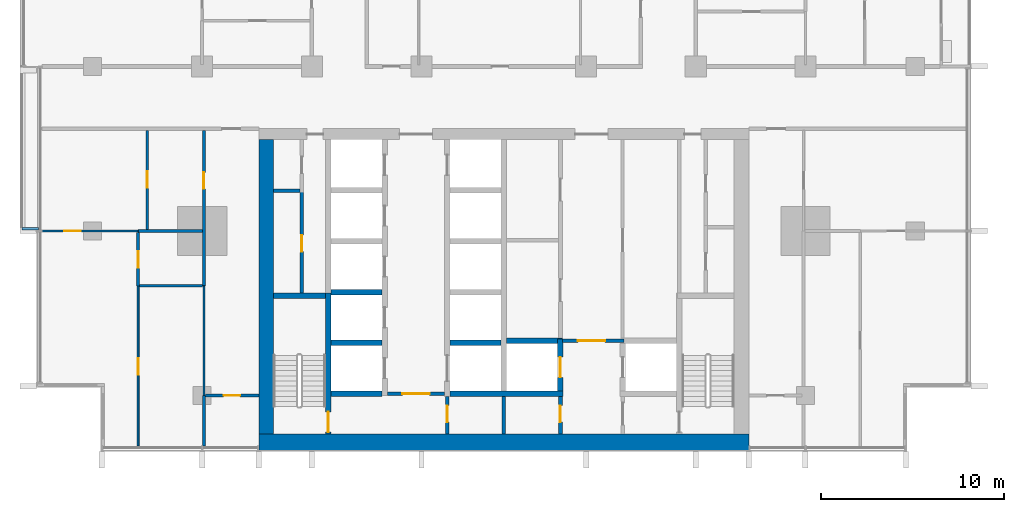
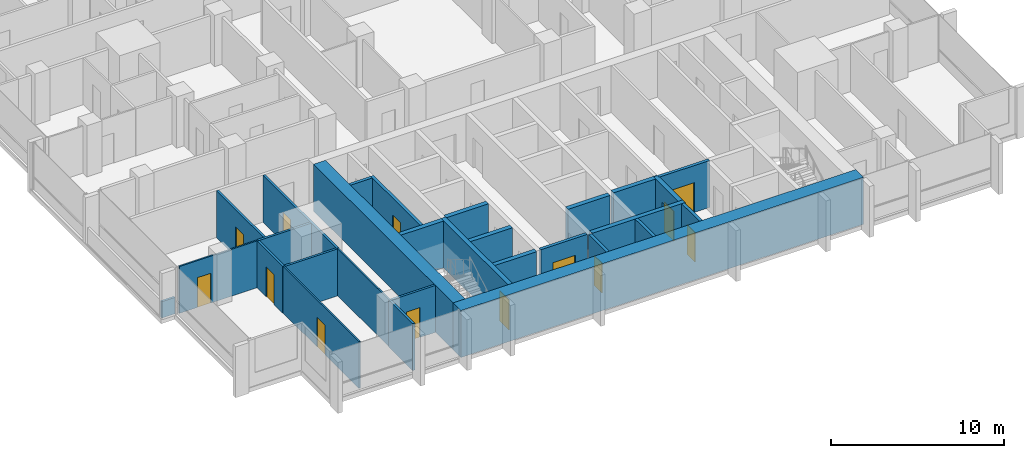
# One storey, part 7 of 18: 29 walls, 13 doors, 13 openings.
"""IFC4 building model written with IfcOpenShell, lengths in metres."""

from ifc_helpers import new_model, si_unit, direction, frame, frame_2d, origin, place, context, subcontext, project, spatial, rectangle, extrude, material, layer, layer_set, type_object, element, fill, save


model = new_model("IFC4")

# Units and contexts
model_context = context("Model", 3, precision=1e-05, world=origin(), true_north=direction((0.0, 1.0)))
body_context = subcontext(model_context, "Body", "Model", "MODEL_VIEW")
ifc_project = project(units=[si_unit("LENGTHUNIT", "METRE"), si_unit("AREAUNIT", "SQUARE_METRE"), si_unit("VOLUMEUNIT", "CUBIC_METRE"), si_unit("PLANEANGLEUNIT", "RADIAN"), si_unit("MASSUNIT", "GRAM", prefix="KILO")], contexts=[model_context])

# Site, building, storey
site_placement = place(None, origin())
site = spatial("IfcSite", under=ifc_project, at=site_placement, CompositionType="ELEMENT")
building_placement = place(site_placement, origin())
building = spatial("IfcBuilding", under=site, at=building_placement, Name="Finial Court Residences", CompositionType="ELEMENT")
storey_placement = place(building_placement, frame((0.0, 0.0, 106.300048828125)))
storey = spatial("IfcBuildingStorey", under=building, at=storey_placement, Name="L26", CompositionType="ELEMENT", Elevation=106.300048828125)

# Walls
ifc_material_1 = material(Name="Concrete C70/85", Category="concrete")
ifc_layer_1 = layer(ifc_material_1, 0.800048828125)
ifc_layer_set_1 = layer_set([ifc_layer_1], Name="Core outer wall 800 Concrete C70/85")
wall_type_1 = type_object("IfcWallType", Name="Core outer wall 800 Concrete C70/85", PredefinedType="SHEAR", material=ifc_layer_set_1)
wall_1_placement = place(storey_placement, frame((-13.0, -24.60009765625, 0.0), z_axis=(0.0, 0.0, 1.0), x_axis=(0.0, 1.0, 0.0)))
element("IfcWall", 1, at=wall_1_placement, inside=storey, type_object=wall_type_1, Name="Core outer wall L26-03", PredefinedType="SHEAR", context=body_context, shape_type="SweptSolid", body=[
    extrude(rectangle(XDim=16.10009765625, YDim=0.800048828125, at=frame_2d((8.050048828125, 0.0))), origin(), (0.0, 0.0, 1.0), 3.300048828125),
])
ifc_layer_2 = layer(ifc_material_1, 0.89990234375)
ifc_layer_set_2 = layer_set([ifc_layer_2], Name="Core south facade wall 900 Concrete C70/85")
wall_type_2 = type_object("IfcWallType", Name="Core south facade wall 900 Concrete C70/85", PredefinedType="SHEAR", material=ifc_layer_set_2)
wall_2_placement = place(storey_placement, frame((-13.39990234375, -25.050048828125, 0.0), z_axis=(0.0, 0.0, 1.0), x_axis=(1.0, 0.0, 0.0)))
element("IfcWall", 2, at=wall_2_placement, inside=storey, type_object=wall_type_2, Name="Core outer wall L26-01", PredefinedType="SHEAR", context=body_context, shape_type="SweptSolid", body=[
    extrude(rectangle(XDim=26.7998046875, YDim=0.89990234375, at=frame_2d((13.39990234375, 0.0))), origin(), (0.0, 0.0, 1.0), 3.300048828125),
])

# Wall, opening, door
ifc_material_2 = material(Name="Fire-rated gypsum board partition")
ifc_layer_3 = layer(ifc_material_2, 0.199951171875)
ifc_layer_set_3 = layer_set([ifc_layer_3], Name="Firefighting lobby wall 200 EI 120")
wall_type_3 = type_object("IfcWallType", Name="Firefighting lobby wall 200 EI 120", PredefinedType="PARTITIONING", material=ifc_layer_set_3)
wall_3_placement = place(storey_placement, frame((6.574951171875, -19.5, 0.0), z_axis=(0.0, 0.0, 1.0), x_axis=(-1.0, 0.0, 0.0)))
wall_3 = element("IfcWall", 3, at=wall_3_placement, inside=storey, type_object=wall_type_3, Name="Core partition L26-08", PredefinedType="PARTITIONING", context=body_context, shape_type="SweptSolid", body=[
    extrude(rectangle(XDim=3.375, YDim=0.199951171875, at=frame_2d((1.6875, 0.0))), origin(), (0.0, 0.0, 1.0), 3.300048828125),
])
opening_1_placement = place(wall_3_placement, frame((1.02490234375, 0.0, 0.0)))
opening_1 = element("IfcOpeningElement", 4, at=opening_1_placement, cuts=wall_3, Name="Opening L26-C02", PredefinedType="OPENING", context=body_context, shape_type="SweptSolid", body=[
    extrude(rectangle(XDim=1.5, YDim=2.10009765625, at=frame_2d((0.75, 1.050048828125))), frame((0.0, 0.10986328125, 0.0), z_axis=(0.0, -1.0, 0.0), x_axis=(1.0, 0.0, 0.0)), (0.0, 0.0, 1.0), 0.219970703125),
])
ifc_material_3 = material(Name="Steel fire door", Category="steel")
door_type_1 = type_object("IfcDoorType", Name="Firefighting lobby door 1500 x 2100 EI 90", OperationType="DOUBLE_DOOR_SINGLE_SWING", PredefinedType="DOOR", material=ifc_material_3)
door_1_placement = place(opening_1_placement, origin())
door_1 = element("IfcDoor", 5, at=door_1_placement, inside=storey, type_object=door_type_1, Name="Firefighting lobby door L26-C02", OperationType="DOUBLE_DOOR_SINGLE_SWING", OverallHeight=2.10009765625, OverallWidth=1.5, PredefinedType="DOOR", context=body_context, shape_type="SweptSolid", body=[
    extrude(rectangle(XDim=1.5, YDim=2.10009765625, at=frame_2d((0.75, 1.050048828125))), frame((0.0, 0.02490234375, 0.0), z_axis=(0.0, -1.0, 0.0), x_axis=(1.0, 0.0, 0.0)), (0.0, 0.0, 1.0), 0.050048828125),
])
fill(opening_1, door_1)

wall_4_placement = place(storey_placement, frame((3.10009765625, -24.60009765625, 0.0), z_axis=(0.0, 0.0, 1.0), x_axis=(0.0, 1.0, 0.0)))
wall_4 = element("IfcWall", 6, at=wall_4_placement, inside=storey, type_object=wall_type_3, Name="Core partition L26-30", PredefinedType="PARTITIONING", context=body_context, shape_type="SweptSolid", body=[
    extrude(rectangle(XDim=2.050048828125, YDim=0.199951171875, at=frame_2d((1.02490234375, 0.0))), origin(), (0.0, 0.0, 1.0), 3.300048828125),
])
opening_2_placement = place(wall_4_placement, frame((0.64990234375, 0.0, 0.0)))
opening_2 = element("IfcOpeningElement", 7, at=opening_2_placement, cuts=wall_4, Name="Opening L26-C06", PredefinedType="OPENING", context=body_context, shape_type="SweptSolid", body=[
    extrude(rectangle(XDim=0.89990234375, YDim=2.10009765625, at=frame_2d((0.449951171875, 1.050048828125))), frame((0.0, 0.10986328125, 0.0), z_axis=(0.0, -1.0, 0.0), x_axis=(1.0, 0.0, 0.0)), (0.0, 0.0, 1.0), 0.219970703125),
])
door_type_2 = type_object("IfcDoorType", Name="Riser room door 900 x 2100 EI 90", OperationType="NOTDEFINED", PredefinedType="DOOR", material=ifc_material_3)
door_2_placement = place(opening_2_placement, origin())
door_2 = element("IfcDoor", 8, at=door_2_placement, inside=storey, type_object=door_type_2, Name="Riser room door L26-C06", OperationType="SINGLE_SWING_LEFT", OverallHeight=2.10009765625, OverallWidth=0.89990234375, PredefinedType="DOOR", context=body_context, shape_type="SweptSolid", body=[
    extrude(rectangle(XDim=0.89990234375, YDim=2.10009765625, at=frame_2d((0.449951171875, 1.050048828125))), frame((0.0, 0.02490234375, 0.0), z_axis=(0.0, -1.0, 0.0), x_axis=(1.0, 0.0, 0.0)), (0.0, 0.0, 1.0), 0.050048828125),
])
fill(opening_2, door_2)

ifc_material_4 = material(Name="Gypsum board")
ifc_layer_4 = layer(ifc_material_4, 0.012451171875)
ifc_material_5 = material(Name="Mineral wool in light-gauge frame")
ifc_layer_5 = layer(ifc_material_5, 0.074951171875)
ifc_layer_6 = layer(ifc_material_4, 0.012451171875)
ifc_layer_set_4 = layer_set([ifc_layer_4, ifc_layer_5, ifc_layer_6], Name="Gypsum board partition 100")
wall_type_4 = type_object("IfcWallType", Name="Gypsum board partition 100", PredefinedType="PARTITIONING", material=ifc_layer_set_4)
wall_5_placement = place(storey_placement, frame((-25.25, -13.5, 0.0), z_axis=(0.0, 0.0, 1.0), x_axis=(1.0, 0.0, 0.0)))
wall_5 = element("IfcWall", 9, at=wall_5_placement, inside=storey, type_object=wall_type_4, Name="Partition L26-003", PredefinedType="PARTITIONING", context=body_context, shape_type="SweptSolid", body=[
    extrude(rectangle(XDim=5.25, YDim=0.10009765625, at=frame_2d((2.625, 0.0))), origin(), (0.0, 0.0, 1.0), 3.300048828125),
])
opening_3_placement = place(wall_5_placement, frame((1.199951171875, 0.0, 0.0)))
opening_3 = element("IfcOpeningElement", 10, at=opening_3_placement, cuts=wall_5, Name="Opening L26-D003", PredefinedType="OPENING", context=body_context, shape_type="SweptSolid", body=[
    extrude(rectangle(XDim=0.89990234375, YDim=2.10009765625, at=frame_2d((0.449951171875, 1.050048828125))), frame((0.0, 0.06005859375, 0.0), z_axis=(0.0, -1.0, 0.0), x_axis=(1.0, 0.0, 0.0)), (0.0, 0.0, 1.0), 0.1201171875),
])
ifc_material_6 = material(Name="Timber door leaf in timber frame", Category="wood")
door_type_3 = type_object("IfcDoorType", Name="Door set 900 x 2100", OperationType="SINGLE_SWING_LEFT", PredefinedType="DOOR", material=ifc_material_6)
door_3_placement = place(opening_3_placement, origin())
door_3 = element("IfcDoor", 11, at=door_3_placement, inside=storey, type_object=door_type_3, Name="Door L26-D003", OperationType="SINGLE_SWING_LEFT", OverallHeight=2.10009765625, OverallWidth=0.89990234375, PredefinedType="DOOR", context=body_context, shape_type="SweptSolid", body=[
    extrude(rectangle(XDim=0.89990234375, YDim=2.10009765625, at=frame_2d((0.449951171875, 1.050048828125))), frame((0.0, 0.02490234375, 0.0), z_axis=(0.0, -1.0, 0.0), x_axis=(1.0, 0.0, 0.0)), (0.0, 0.0, 1.0), 0.050048828125),
])
fill(opening_3, door_3)

wall_6_placement = place(storey_placement, frame((-20.0, -25.25, 0.0), z_axis=(0.0, 0.0, 1.0), x_axis=(0.0, 1.0, 0.0)))
wall_6 = element("IfcWall", 12, at=wall_6_placement, inside=storey, type_object=wall_type_4, Name="Partition L26-045", PredefinedType="PARTITIONING", context=body_context, shape_type="SweptSolid", body=[
    extrude(rectangle(XDim=8.75, YDim=0.10009765625, at=frame_2d((4.375, 0.0))), origin(), (0.0, 0.0, 1.0), 3.300048828125),
])
opening_4_placement = place(wall_6_placement, frame((3.89990234375, 0.0, 0.0)))
opening_4 = element("IfcOpeningElement", 13, at=opening_4_placement, cuts=wall_6, Name="Opening L26-D033", PredefinedType="OPENING", context=body_context, shape_type="SweptSolid", body=[
    extrude(rectangle(XDim=0.89990234375, YDim=2.10009765625, at=frame_2d((0.449951171875, 1.050048828125))), frame((0.0, 0.06005859375, 0.0), z_axis=(0.0, -1.0, 0.0), x_axis=(1.0, 0.0, 0.0)), (0.0, 0.0, 1.0), 0.1201171875),
])
door_4_placement = place(opening_4_placement, origin())
door_4 = element("IfcDoor", 14, at=door_4_placement, inside=storey, type_object=door_type_3, Name="Door L26-D033", OperationType="SINGLE_SWING_LEFT", OverallHeight=2.10009765625, OverallWidth=0.89990234375, PredefinedType="DOOR", context=body_context, shape_type="SweptSolid", body=[
    extrude(rectangle(XDim=0.89990234375, YDim=2.10009765625, at=frame_2d((0.449951171875, 1.050048828125))), frame((0.0, 0.02490234375, 0.0), z_axis=(0.0, -1.0, 0.0), x_axis=(1.0, 0.0, 0.0)), (0.0, 0.0, 1.0), 0.050048828125),
])
fill(opening_4, door_4)

# Wall
wall_7_placement = place(storey_placement, frame((-16.39990234375, -22.5, 0.0), z_axis=(0.0, 0.0, 1.0), x_axis=(0.0, 1.0, 0.0)))
element("IfcWall", 15, at=wall_7_placement, inside=storey, type_object=wall_type_4, Name="Partition L26-056", PredefinedType="PARTITIONING", context=body_context, shape_type="SweptSolid", body=[
    extrude(rectangle(XDim=6.0, YDim=0.10009765625, at=frame_2d((3.0, 0.0))), origin(), (0.0, 0.0, 1.0), 3.300048828125),
])

# Wall, opening, door
ifc_material_7 = material(Name="Moisture-resistant gypsum board")
ifc_layer_7 = layer(ifc_material_7, 0.012451171875)
ifc_layer_8 = layer(ifc_material_5, 0.125)
ifc_layer_9 = layer(ifc_material_7, 0.012451171875)
ifc_layer_set_5 = layer_set([ifc_layer_7, ifc_layer_8, ifc_layer_9], Name="Gypsum board wet-area partition 150")
wall_type_5 = type_object("IfcWallType", Name="Gypsum board wet-area partition 150", PredefinedType="PARTITIONING", material=ifc_layer_set_5)
wall_8_placement = place(storey_placement, frame((-16.324951171875, -22.5, 0.0), z_axis=(0.0, 0.0, 1.0), x_axis=(1.0, 0.0, 0.0)))
wall_8 = element("IfcWall", 16, at=wall_8_placement, inside=storey, type_object=wall_type_5, Name="Partition L26-000", PredefinedType="PARTITIONING", context=body_context, shape_type="SweptSolid", body=[
    extrude(rectangle(XDim=2.925048828125, YDim=0.14990234375, at=frame_2d((1.46240234375, 0.0))), origin(), (0.0, 0.0, 1.0), 3.300048828125),
])
opening_5_placement = place(wall_8_placement, frame((1.0, 0.0, 0.0)))
opening_5 = element("IfcOpeningElement", 17, at=opening_5_placement, cuts=wall_8, Name="Opening L26-D001", PredefinedType="OPENING", context=body_context, shape_type="SweptSolid", body=[
    extrude(rectangle(XDim=0.89990234375, YDim=2.10009765625, at=frame_2d((0.449951171875, 1.050048828125))), frame((0.0, 0.0849609375, 0.0), z_axis=(0.0, -1.0, 0.0), x_axis=(1.0, 0.0, 0.0)), (0.0, 0.0, 1.0), 0.169921875),
])
door_5_placement = place(opening_5_placement, origin())
door_5 = element("IfcDoor", 18, at=door_5_placement, inside=storey, type_object=door_type_3, Name="Door L26-D001", OperationType="SINGLE_SWING_RIGHT", OverallHeight=2.10009765625, OverallWidth=0.89990234375, PredefinedType="DOOR", context=body_context, shape_type="SweptSolid", body=[
    extrude(rectangle(XDim=0.89990234375, YDim=2.10009765625, at=frame_2d((0.449951171875, 1.050048828125))), frame((0.0, 0.02490234375, 0.0), z_axis=(0.0, -1.0, 0.0), x_axis=(1.0, 0.0, 0.0)), (0.0, 0.0, 1.0), 0.050048828125),
])
fill(opening_5, door_5)

# Walls
wall_9_placement = place(storey_placement, frame((-19.925048828125, -16.5, 0.0), z_axis=(0.0, 0.0, 1.0), x_axis=(1.0, 0.0, 0.0)))
element("IfcWall", 19, at=wall_9_placement, inside=storey, type_object=wall_type_5, Name="Partition L26-002", PredefinedType="PARTITIONING", context=body_context, shape_type="SweptSolid", body=[
    extrude(rectangle(XDim=3.449951171875, YDim=0.14990234375, at=frame_2d((1.72509765625, 0.0))), origin(), (0.0, 0.0, 1.0), 3.300048828125),
])
wall_10_placement = place(storey_placement, frame((-20.0, -13.5, 0.0), z_axis=(0.0, 0.0, 1.0), x_axis=(1.0, 0.0, 0.0)))
element("IfcWall", 20, at=wall_10_placement, inside=storey, type_object=wall_type_5, Name="Partition L26-005", PredefinedType="PARTITIONING", context=body_context, shape_type="SweptSolid", body=[
    extrude(rectangle(XDim=3.52490234375, YDim=0.14990234375, at=frame_2d((1.762451171875, 0.0))), origin(), (0.0, 0.0, 1.0), 3.300048828125),
])

# Wall, opening, door
wall_11_placement = place(storey_placement, frame((-20.0, -16.5, 0.0), z_axis=(0.0, 0.0, 1.0), x_axis=(0.0, 1.0, 0.0)))
wall_11 = element("IfcWall", 21, at=wall_11_placement, inside=storey, type_object=wall_type_5, Name="Partition L26-046", PredefinedType="PARTITIONING", context=body_context, shape_type="SweptSolid", body=[
    extrude(rectangle(XDim=2.925048828125, YDim=0.14990234375, at=frame_2d((1.46240234375, 0.0))), origin(), (0.0, 0.0, 1.0), 3.300048828125),
])
opening_6_placement = place(wall_11_placement, frame((1.0, 0.0, 0.0)))
opening_6 = element("IfcOpeningElement", 22, at=opening_6_placement, cuts=wall_11, Name="Opening L26-D034", PredefinedType="OPENING", context=body_context, shape_type="SweptSolid", body=[
    extrude(rectangle(XDim=0.89990234375, YDim=2.10009765625, at=frame_2d((0.449951171875, 1.050048828125))), frame((0.0, 0.0849609375, 0.0), z_axis=(0.0, -1.0, 0.0), x_axis=(1.0, 0.0, 0.0)), (0.0, 0.0, 1.0), 0.169921875),
])
door_6_placement = place(opening_6_placement, origin())
door_6 = element("IfcDoor", 23, at=door_6_placement, inside=storey, type_object=door_type_3, Name="Door L26-D034", OperationType="SINGLE_SWING_LEFT", OverallHeight=2.10009765625, OverallWidth=0.89990234375, PredefinedType="DOOR", context=body_context, shape_type="SweptSolid", body=[
    extrude(rectangle(XDim=0.89990234375, YDim=2.10009765625, at=frame_2d((0.449951171875, 1.050048828125))), frame((0.0, 0.02490234375, 0.0), z_axis=(0.0, -1.0, 0.0), x_axis=(1.0, 0.0, 0.0)), (0.0, 0.0, 1.0), 0.050048828125),
])
fill(opening_6, door_6)

wall_12_placement = place(storey_placement, frame((-19.5, -13.425048828125, 0.0), z_axis=(0.0, 0.0, 1.0), x_axis=(0.0, 1.0, 0.0)))
wall_12 = element("IfcWall", 24, at=wall_12_placement, inside=storey, type_object=wall_type_5, Name="Partition L26-049", PredefinedType="PARTITIONING", context=body_context, shape_type="SweptSolid", body=[
    extrude(rectangle(XDim=5.425048828125, YDim=0.14990234375, at=frame_2d((2.71240234375, 0.0))), origin(), (0.0, 0.0, 1.0), 3.300048828125),
])
opening_7_placement = place(wall_12_placement, frame((2.300048828125, 0.0, 0.0)))
opening_7 = element("IfcOpeningElement", 25, at=opening_7_placement, cuts=wall_12, Name="Opening L26-D036", PredefinedType="OPENING", context=body_context, shape_type="SweptSolid", body=[
    extrude(rectangle(XDim=0.89990234375, YDim=2.10009765625, at=frame_2d((0.449951171875, 1.050048828125))), frame((0.0, 0.0849609375, 0.0), z_axis=(0.0, -1.0, 0.0), x_axis=(1.0, 0.0, 0.0)), (0.0, 0.0, 1.0), 0.169921875),
])
door_7_placement = place(opening_7_placement, origin())
door_7 = element("IfcDoor", 26, at=door_7_placement, inside=storey, type_object=door_type_3, Name="Door L26-D036", OperationType="SINGLE_SWING_LEFT", OverallHeight=2.10009765625, OverallWidth=0.89990234375, PredefinedType="DOOR", context=body_context, shape_type="SweptSolid", body=[
    extrude(rectangle(XDim=0.89990234375, YDim=2.10009765625, at=frame_2d((0.449951171875, 1.050048828125))), frame((0.0, 0.02490234375, 0.0), z_axis=(0.0, -1.0, 0.0), x_axis=(1.0, 0.0, 0.0)), (0.0, 0.0, 1.0), 0.050048828125),
])
fill(opening_7, door_7)

# Wall
wall_13_placement = place(storey_placement, frame((-16.39990234375, -25.25, 0.0), z_axis=(0.0, 0.0, 1.0), x_axis=(0.0, 1.0, 0.0)))
element("IfcWall", 27, at=wall_13_placement, inside=storey, type_object=wall_type_5, Name="Partition L26-057", PredefinedType="PARTITIONING", context=body_context, shape_type="SweptSolid", body=[
    extrude(rectangle(XDim=2.75, YDim=0.14990234375, at=frame_2d((1.375, 0.0))), origin(), (0.0, 0.0, 1.0), 3.300048828125),
])

# Wall, opening, door
wall_14_placement = place(storey_placement, frame((-16.39990234375, -16.5, 0.0), z_axis=(0.0, 0.0, 1.0), x_axis=(0.0, 1.0, 0.0)))
wall_14 = element("IfcWall", 28, at=wall_14_placement, inside=storey, type_object=wall_type_5, Name="Partition L26-058", PredefinedType="PARTITIONING", context=body_context, shape_type="SweptSolid", body=[
    extrude(rectangle(XDim=8.5, YDim=0.14990234375, at=frame_2d((4.25, 0.0))), origin(), (0.0, 0.0, 1.0), 3.300048828125),
])
opening_8_placement = place(wall_14_placement, frame((5.300048828125, 0.0, 0.0)))
opening_8 = element("IfcOpeningElement", 29, at=opening_8_placement, cuts=wall_14, Name="Opening L26-D039", PredefinedType="OPENING", context=body_context, shape_type="SweptSolid", body=[
    extrude(rectangle(XDim=0.89990234375, YDim=2.10009765625, at=frame_2d((0.449951171875, 1.050048828125))), frame((0.0, 0.0849609375, 0.0), z_axis=(0.0, -1.0, 0.0), x_axis=(1.0, 0.0, 0.0)), (0.0, 0.0, 1.0), 0.169921875),
])
door_8_placement = place(opening_8_placement, origin())
door_8 = element("IfcDoor", 30, at=door_8_placement, inside=storey, type_object=door_type_3, Name="Door L26-D039", OperationType="SINGLE_SWING_LEFT", OverallHeight=2.10009765625, OverallWidth=0.89990234375, PredefinedType="DOOR", context=body_context, shape_type="SweptSolid", body=[
    extrude(rectangle(XDim=0.89990234375, YDim=2.10009765625, at=frame_2d((0.449951171875, 1.050048828125))), frame((0.0, 0.02490234375, 0.0), z_axis=(0.0, -1.0, 0.0), x_axis=(1.0, 0.0, 0.0)), (0.0, 0.0, 1.0), 0.050048828125),
])
fill(opening_8, door_8)

# Walls
ifc_material_8 = material(Name="Concrete C35/45", Category="concrete")
ifc_layer_10 = layer(ifc_material_8, 0.14990234375)
ifc_layer_set_6 = layer_set([ifc_layer_10], Name="Ledge parapet, Concrete C35/45 150")
wall_type_6 = type_object("IfcWallType", Name="Ledge parapet, Concrete C35/45 150", PredefinedType="PARAPET", material=ifc_layer_set_6)
wall_15_placement = place(storey_placement, frame((-25.4599609375, -13.375, 0.0), z_axis=(0.0, 0.0, 1.0), x_axis=(-1.0, 0.0, 0.0)))
element("IfcWall", 31, at=wall_15_placement, inside=storey, type_object=wall_type_6, Name="E-L26-LED1-P1", PredefinedType="PARAPET", context=body_context, shape_type="SweptSolid", body=[
    extrude(rectangle(XDim=0.89013671875, YDim=0.14990234375, at=frame_2d((0.445068359375, 0.0))), origin(), (0.0, 0.0, 1.0), 1.14990234375),
])
ifc_layer_11 = layer(ifc_material_1, 0.300048828125)
ifc_layer_set_7 = layer_set([ifc_layer_11], Name="Lift shaft and stair wall 300 Concrete C70/85")
wall_type_7 = type_object("IfcWallType", Name="Lift shaft and stair wall 300 Concrete C70/85", PredefinedType="SHEAR", material=ifc_layer_set_7)
wall_16_placement = place(storey_placement, frame((-9.449951171875, -22.39990234375, 0.0), z_axis=(0.0, 0.0, 1.0), x_axis=(1.0, 0.0, 0.0)))
element("IfcWall", 32, at=wall_16_placement, inside=storey, type_object=wall_type_7, Name="Core wall L26-01", PredefinedType="SHEAR", context=body_context, shape_type="SweptSolid", body=[
    extrude(rectangle(XDim=2.800048828125, YDim=0.300048828125, at=frame_2d((1.39990234375, 0.0))), origin(), (0.0, 0.0, 1.0), 3.300048828125),
])
wall_17_placement = place(storey_placement, frame((-2.949951171875, -22.39990234375, 0.0), z_axis=(0.0, 0.0, 1.0), x_axis=(1.0, 0.0, 0.0)))
element("IfcWall", 33, at=wall_17_placement, inside=storey, type_object=wall_type_7, Name="Core wall L26-03", PredefinedType="SHEAR", context=body_context, shape_type="SweptSolid", body=[
    extrude(rectangle(XDim=6.199951171875, YDim=0.300048828125, at=frame_2d((3.10009765625, 0.0))), origin(), (0.0, 0.0, 1.0), 3.300048828125),
])
for number, where, z_axis, x_axis, name in (
    (34, (-9.449951171875, -19.6201171875, 0.0), (0.0, 0.0, 1.0), (1.0, 0.0, 0.0), "Core wall L26-05"),
    (35, (-2.949951171875, -19.6201171875, 0.0), (0.0, 0.0, 1.0), (1.0, 0.0, 0.0), "Core wall L26-06"),
):
    element("IfcWall", number, at=place(storey_placement, frame(where, z_axis=z_axis, x_axis=x_axis)), inside=storey, type_object=wall_type_7, Name=name, PredefinedType="SHEAR", context=body_context, shape_type="SweptSolid", body=[
        extrude(rectangle(XDim=2.800048828125, YDim=0.300048828125, at=frame_2d((1.39990234375, 0.0))), origin(), (0.0, 0.0, 1.0), 3.300048828125),
    ])
wall_18_placement = place(storey_placement, frame((0.14990234375, -19.5, 0.0), z_axis=(0.0, 0.0, 1.0), x_axis=(1.0, 0.0, 0.0)))
element("IfcWall", 36, at=wall_18_placement, inside=storey, type_object=wall_type_7, Name="Core wall L26-07", PredefinedType="SHEAR", context=body_context, shape_type="SweptSolid", body=[
    extrude(rectangle(XDim=3.050048828125, YDim=0.300048828125, at=frame_2d((1.52490234375, 0.0))), origin(), (0.0, 0.0, 1.0), 3.300048828125),
])
wall_19_placement = place(storey_placement, frame((-12.60009765625, -17.050048828125, 0.0), z_axis=(0.0, 0.0, 1.0), x_axis=(1.0, 0.0, 0.0)))
element("IfcWall", 37, at=wall_19_placement, inside=storey, type_object=wall_type_7, Name="Core wall L26-10", PredefinedType="SHEAR", context=body_context, shape_type="SweptSolid", body=[
    extrude(rectangle(XDim=2.85009765625, YDim=0.300048828125, at=frame_2d((1.425048828125, 0.0))), origin(), (0.0, 0.0, 1.0), 3.300048828125),
])
wall_20_placement = place(storey_placement, frame((-9.449951171875, -16.840087890625, 0.0), z_axis=(0.0, 0.0, 1.0), x_axis=(1.0, 0.0, 0.0)))
element("IfcWall", 38, at=wall_20_placement, inside=storey, type_object=wall_type_7, Name="Core wall L26-12", PredefinedType="SHEAR", context=body_context, shape_type="SweptSolid", body=[
    extrude(rectangle(XDim=2.800048828125, YDim=0.300048828125, at=frame_2d((1.39990234375, 0.0))), origin(), (0.0, 0.0, 1.0), 3.300048828125),
])

# Wall, opening, door
wall_21_placement = place(storey_placement, frame((-9.60009765625, -24.60009765625, 0.0), z_axis=(0.0, 0.0, 1.0), x_axis=(0.0, 1.0, 0.0)))
wall_21 = element("IfcWall", 39, at=wall_21_placement, inside=storey, type_object=wall_type_7, Name="Core wall L26-23", PredefinedType="SHEAR", context=body_context, shape_type="SweptSolid", body=[
    extrude(rectangle(XDim=7.7001953125, YDim=0.300048828125, at=frame_2d((3.85009765625, 0.0))), origin(), (0.0, 0.0, 1.0), 3.300048828125),
])
opening_9_placement = place(wall_21_placement, frame((0.10009765625, 0.0, 0.0)))
opening_9 = element("IfcOpeningElement", 40, at=opening_9_placement, cuts=wall_21, Name="Opening L26-C17", PredefinedType="OPENING", context=body_context, shape_type="SweptSolid", body=[
    extrude(rectangle(XDim=1.10009765625, YDim=2.10009765625, at=frame_2d((0.550048828125, 1.050048828125))), frame((0.0, 0.159912109375, 0.0), z_axis=(0.0, -1.0, 0.0), x_axis=(1.0, 0.0, 0.0)), (0.0, 0.0, 1.0), 0.320068359375),
])
door_type_4 = type_object("IfcDoorType", Name="Stair door 1100 x 2100 EI 90", OperationType="NOTDEFINED", PredefinedType="DOOR", material=ifc_material_3)
door_9_placement = place(opening_9_placement, origin())
door_9 = element("IfcDoor", 41, at=door_9_placement, inside=storey, type_object=door_type_4, Name="Stair door L26-C17", OperationType="SINGLE_SWING_LEFT", OverallHeight=2.10009765625, OverallWidth=1.10009765625, PredefinedType="DOOR", context=body_context, shape_type="SweptSolid", body=[
    extrude(rectangle(XDim=1.10009765625, YDim=2.10009765625, at=frame_2d((0.550048828125, 1.050048828125))), frame((0.0, 0.02490234375, 0.0), z_axis=(0.0, -1.0, 0.0), x_axis=(1.0, 0.0, 0.0)), (0.0, 0.0, 1.0), 0.050048828125),
])
fill(opening_9, door_9)

wall_22_placement = place(storey_placement, frame((3.10009765625, -22.25, 0.0), z_axis=(0.0, 0.0, 1.0), x_axis=(0.0, 1.0, 0.0)))
wall_22 = element("IfcWall", 42, at=wall_22_placement, inside=storey, type_object=wall_type_7, Name="Core wall L26-31", PredefinedType="SHEAR", context=body_context, shape_type="SweptSolid", body=[
    extrude(rectangle(XDim=2.85009765625, YDim=0.300048828125, at=frame_2d((1.425048828125, 0.0))), origin(), (0.0, 0.0, 1.0), 3.300048828125),
])
opening_10_placement = place(wall_22_placement, frame((0.75, 0.0, 0.0)))
opening_10 = element("IfcOpeningElement", 43, at=opening_10_placement, cuts=wall_22, Name="Opening L26-LD01", PredefinedType="OPENING", context=body_context, shape_type="SweptSolid", body=[
    extrude(rectangle(XDim=1.10009765625, YDim=2.10009765625, at=frame_2d((0.550048828125, 1.050048828125))), frame((0.0, 0.159912109375, 0.0), z_axis=(0.0, -1.0, 0.0), x_axis=(1.0, 0.0, 0.0)), (0.0, 0.0, 1.0), 0.320068359375),
])
ifc_material_9 = material(Name="Stainless steel lift door", Category="steel")
door_type_5 = type_object("IfcDoorType", Name="Lift landing door 1100 x 2100 EI 90", OperationType="DOUBLE_DOOR_SLIDING", PredefinedType="DOOR", material=ifc_material_9)
door_10_placement = place(opening_10_placement, origin())
door_10 = element("IfcDoor", 44, at=door_10_placement, inside=storey, type_object=door_type_5, Name="Lift landing door FF1 L26", OperationType="DOUBLE_DOOR_SLIDING", OverallHeight=2.10009765625, OverallWidth=1.10009765625, PredefinedType="DOOR", context=body_context, shape_type="SweptSolid", body=[
    extrude(rectangle(XDim=1.10009765625, YDim=2.10009765625, at=frame_2d((0.550048828125, 1.050048828125))), frame((0.0, 0.02490234375, 0.0), z_axis=(0.0, -1.0, 0.0), x_axis=(1.0, 0.0, 0.0)), (0.0, 0.0, 1.0), 0.050048828125),
])
fill(opening_10, door_10)

# Walls
ifc_layer_12 = layer(ifc_material_2, 0.199951171875)
ifc_layer_set_8 = layer_set([ifc_layer_12], Name="Riser room wall 200 EI 120")
wall_type_8 = type_object("IfcWallType", Name="Riser room wall 200 EI 120", PredefinedType="PARTITIONING", material=ifc_layer_set_8)
wall_23_placement = place(storey_placement, frame((-12.60009765625, -11.300048828125, 0.0), z_axis=(0.0, 0.0, 1.0), x_axis=(1.0, 0.0, 0.0)))
element("IfcWall", 45, at=wall_23_placement, inside=storey, type_object=wall_type_8, Name="Core partition L26-18", PredefinedType="PARTITIONING", context=body_context, shape_type="SweptSolid", body=[
    extrude(rectangle(XDim=1.4501953125, YDim=0.199951171875, at=frame_2d((0.72509765625, 0.0))), origin(), (0.0, 0.0, 1.0), 3.300048828125),
])
wall_24_placement = place(storey_placement, frame((0.0, -24.60009765625, 0.0), z_axis=(0.0, 0.0, 1.0), x_axis=(0.0, 1.0, 0.0)))
element("IfcWall", 46, at=wall_24_placement, inside=storey, type_object=wall_type_8, Name="Core partition L26-28", PredefinedType="PARTITIONING", context=body_context, shape_type="SweptSolid", body=[
    extrude(rectangle(XDim=2.050048828125, YDim=0.199951171875, at=frame_2d((1.02490234375, 0.0))), origin(), (0.0, 0.0, 1.0), 3.300048828125),
])

# Wall, opening, door
ifc_layer_13 = layer(ifc_material_2, 0.199951171875)
ifc_layer_set_9 = layer_set([ifc_layer_13], Name="Stair passage wall 200 EI 180")
wall_type_9 = type_object("IfcWallType", Name="Stair passage wall 200 EI 180", PredefinedType="PARTITIONING", material=ifc_layer_set_9)
wall_25_placement = place(storey_placement, frame((-3.25, -22.39990234375, 0.0), z_axis=(0.0, 0.0, 1.0), x_axis=(-1.0, 0.0, 0.0)))
wall_25 = element("IfcWall", 47, at=wall_25_placement, inside=storey, type_object=wall_type_9, Name="Core partition L26-02", PredefinedType="PARTITIONING", context=body_context, shape_type="SweptSolid", body=[
    extrude(rectangle(XDim=3.10009765625, YDim=0.199951171875, at=frame_2d((1.550048828125, 0.0))), origin(), (0.0, 0.0, 1.0), 3.300048828125),
])
opening_11_placement = place(wall_25_placement, frame((0.800048828125, 0.0, 0.0)))
opening_11 = element("IfcOpeningElement", 48, at=opening_11_placement, cuts=wall_25, Name="Opening L26-C03", PredefinedType="OPENING", context=body_context, shape_type="SweptSolid", body=[
    extrude(rectangle(XDim=1.5, YDim=2.10009765625, at=frame_2d((0.75, 1.050048828125))), frame((0.0, 0.10986328125, 0.0), z_axis=(0.0, -1.0, 0.0), x_axis=(1.0, 0.0, 0.0)), (0.0, 0.0, 1.0), 0.219970703125),
])
door_type_6 = type_object("IfcDoorType", Name="Lift lobby door 1500 x 2100 EI 60", OperationType="DOUBLE_DOOR_SINGLE_SWING", PredefinedType="DOOR", material=ifc_material_3)
door_11_placement = place(opening_11_placement, origin())
door_11 = element("IfcDoor", 49, at=door_11_placement, inside=storey, type_object=door_type_6, Name="Lift lobby door L26-C03", OperationType="DOUBLE_DOOR_SINGLE_SWING", OverallHeight=2.10009765625, OverallWidth=1.5, PredefinedType="DOOR", context=body_context, shape_type="SweptSolid", body=[
    extrude(rectangle(XDim=1.5, YDim=2.10009765625, at=frame_2d((0.75, 1.050048828125))), frame((0.0, 0.02490234375, 0.0), z_axis=(0.0, -1.0, 0.0), x_axis=(1.0, 0.0, 0.0)), (0.0, 0.0, 1.0), 0.050048828125),
])
fill(opening_11, door_11)

wall_26_placement = place(storey_placement, frame((-11.050048828125, -16.89990234375, 0.0), z_axis=(0.0, 0.0, 1.0), x_axis=(0.0, 1.0, 0.0)))
wall_26 = element("IfcWall", 50, at=wall_26_placement, inside=storey, type_object=wall_type_9, Name="Core partition L26-21", PredefinedType="PARTITIONING", context=body_context, shape_type="SweptSolid", body=[
    extrude(rectangle(XDim=5.699951171875, YDim=0.199951171875, at=frame_2d((2.85009765625, 0.0))), origin(), (0.0, 0.0, 1.0), 3.300048828125),
])
opening_12_placement = place(wall_26_placement, frame((2.27490234375, 0.0, 0.0)))
opening_12 = element("IfcOpeningElement", 51, at=opening_12_placement, cuts=wall_26, Name="Opening L26-C14", PredefinedType="OPENING", context=body_context, shape_type="SweptSolid", body=[
    extrude(rectangle(XDim=0.89990234375, YDim=2.10009765625, at=frame_2d((0.449951171875, 1.050048828125))), frame((0.0, 0.10986328125, 0.0), z_axis=(0.0, -1.0, 0.0), x_axis=(1.0, 0.0, 0.0)), (0.0, 0.0, 1.0), 0.219970703125),
])
door_type_7 = type_object("IfcDoorType", Name="Core room door 900 x 2100 EI 60", OperationType="NOTDEFINED", PredefinedType="DOOR", material=ifc_material_3)
door_12_placement = place(opening_12_placement, origin())
door_12 = element("IfcDoor", 52, at=door_12_placement, inside=storey, type_object=door_type_7, Name="Core room door L26-C14", OperationType="SINGLE_SWING_LEFT", OverallHeight=2.10009765625, OverallWidth=0.89990234375, PredefinedType="DOOR", context=body_context, shape_type="SweptSolid", body=[
    extrude(rectangle(XDim=0.89990234375, YDim=2.10009765625, at=frame_2d((0.449951171875, 1.050048828125))), frame((0.0, 0.02490234375, 0.0), z_axis=(0.0, -1.0, 0.0), x_axis=(1.0, 0.0, 0.0)), (0.0, 0.0, 1.0), 0.050048828125),
])
fill(opening_12, door_12)

wall_27_placement = place(storey_placement, frame((-3.10009765625, -22.550048828125, 0.0), z_axis=(0.0, 0.0, 1.0), x_axis=(0.0, -1.0, 0.0)))
wall_27 = element("IfcWall", 53, at=wall_27_placement, inside=storey, type_object=wall_type_9, Name="Core partition L26-26", PredefinedType="PARTITIONING", context=body_context, shape_type="SweptSolid", body=[
    extrude(rectangle(XDim=2.050048828125, YDim=0.199951171875, at=frame_2d((1.02490234375, 0.0))), origin(), (0.0, 0.0, 1.0), 3.300048828125),
])
opening_13_placement = place(wall_27_placement, frame((0.5, 0.0, 0.0)))
opening_13 = element("IfcOpeningElement", 54, at=opening_13_placement, cuts=wall_27, Name="Opening L26-C13", PredefinedType="OPENING", context=body_context, shape_type="SweptSolid", body=[
    extrude(rectangle(XDim=0.89990234375, YDim=2.10009765625, at=frame_2d((0.449951171875, 1.050048828125))), frame((0.0, 0.10986328125, 0.0), z_axis=(0.0, -1.0, 0.0), x_axis=(1.0, 0.0, 0.0)), (0.0, 0.0, 1.0), 0.219970703125),
])
door_13_placement = place(opening_13_placement, origin())
door_13 = element("IfcDoor", 55, at=door_13_placement, inside=storey, type_object=door_type_7, Name="Core room door L26-C13", OperationType="SINGLE_SWING_RIGHT", OverallHeight=2.10009765625, OverallWidth=0.89990234375, PredefinedType="DOOR", context=body_context, shape_type="SweptSolid", body=[
    extrude(rectangle(XDim=0.89990234375, YDim=2.10009765625, at=frame_2d((0.449951171875, 1.050048828125))), frame((0.0, 0.02490234375, 0.0), z_axis=(0.0, -1.0, 0.0), x_axis=(1.0, 0.0, 0.0)), (0.0, 0.0, 1.0), 0.050048828125),
])
fill(opening_13, door_13)

save(model, "model.ifc")
